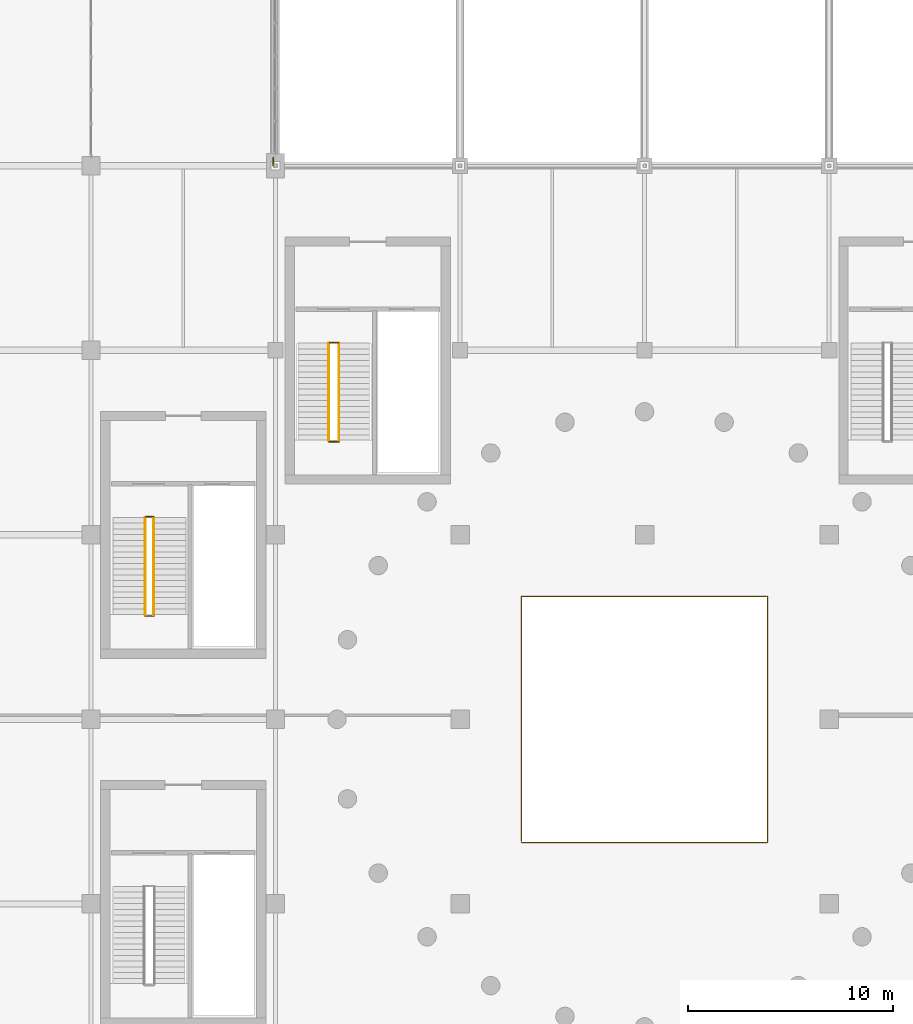
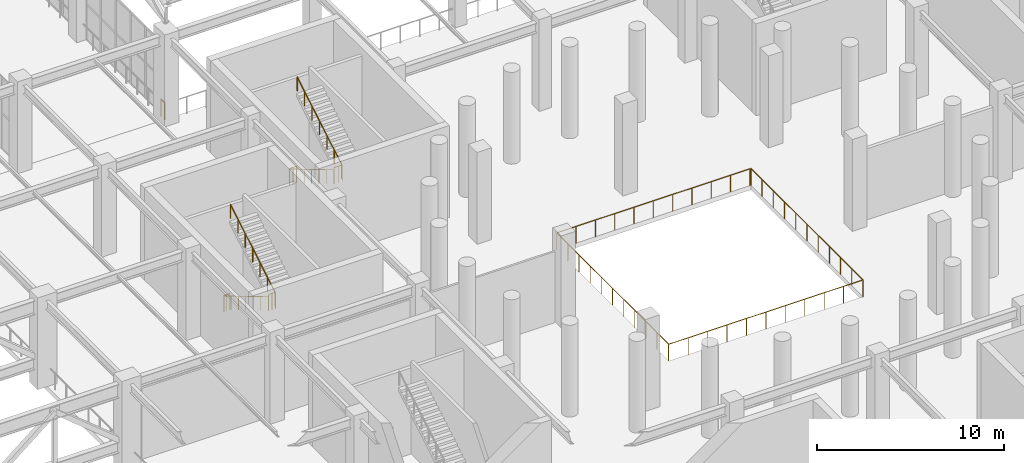
# One storey, part 210 of 223: 11 railings.
"""IFC4 building model written with IfcOpenShell, lengths in metres."""

from ifc_helpers import new_model, si_unit, direction, frame, origin, origin_2d, place, context, subcontext, project, spatial, circle, extrude, material, type_object, element, save


model = new_model("IFC4")

# Units and contexts
model_context = context("Model", 3, precision=1e-05, world=origin(), true_north=direction((0.0, 1.0)))
body_context = subcontext(model_context, "Body", "Model", "MODEL_VIEW")
ifc_project = project(units=[si_unit("LENGTHUNIT", "METRE"), si_unit("AREAUNIT", "SQUARE_METRE"), si_unit("VOLUMEUNIT", "CUBIC_METRE"), si_unit("PLANEANGLEUNIT", "RADIAN"), si_unit("MASSUNIT", "GRAM", prefix="KILO")], contexts=[model_context])

# Site, building, storey
site_placement = place(None, origin())
site = spatial("IfcSite", under=ifc_project, at=site_placement, CompositionType="ELEMENT")
building_placement = place(site_placement, origin())
building = spatial("IfcBuilding", under=site, at=building_placement, Name="Dornveld Trade and Exhibition Forum", CompositionType="ELEMENT")
storey_placement = place(building_placement, frame((0.0, 0.0, 6.0)))
storey = spatial("IfcBuildingStorey", under=building, at=storey_placement, Name="L01", CompositionType="ELEMENT", Elevation=6.0)

# Railings
ifc_material_1 = material(Name="Dark-bronze steel and laminated glass balustrade", Category="steel")
railing_type_1 = type_object("IfcRailingType", Name="RL-BALUST-CONC", PredefinedType="BALUSTRADE", material=ifc_material_1)
railing_1_placement = place(storey_placement, frame((111.0, 75.0, 0.0)))
element("IfcRailing", 1, at=railing_1_placement, inside=storey, type_object=railing_type_1, Name="L01 protective edge guard 14", PredefinedType="BALUSTRADE", context=body_context, shape_type="SweptSolid", body=[
    extrude(circle(Radius=0.02490234375, at=origin_2d()), frame((0.0, 0.0, 1.09521484375), z_axis=(1.0, 0.0, 0.0), x_axis=(0.0, 1.0, 0.0)), (0.0, 0.0, 1.0), 12.0),
    extrude(circle(Radius=0.02490234375, at=origin_2d()), frame((12.0, 0.0, 1.09521484375), z_axis=(0.0, 1.0, 0.0), x_axis=(-1.0, 0.0, 0.0)), (0.0, 0.0, 1.0), 12.0),
    extrude(circle(Radius=0.02099609375, at=origin_2d()), origin(), (0.0, 0.0, 1.0), 1.070068359375),
    extrude(circle(Radius=0.02099609375, at=origin_2d()), frame((1.199951171875, 0.0, 0.0)), (0.0, 0.0, 1.0), 1.070068359375),
    extrude(circle(Radius=0.02099609375, at=origin_2d()), frame((2.39990234375, 0.0, 0.0)), (0.0, 0.0, 1.0), 1.070068359375),
    extrude(circle(Radius=0.02099609375, at=origin_2d()), frame((3.60009765625, 0.0, 0.0)), (0.0, 0.0, 1.0), 1.070068359375),
    extrude(circle(Radius=0.02099609375, at=origin_2d()), frame((4.800048828125, 0.0, 0.0)), (0.0, 0.0, 1.0), 1.070068359375),
    extrude(circle(Radius=0.02099609375, at=origin_2d()), frame((6.0, 0.0, 0.0)), (0.0, 0.0, 1.0), 1.070068359375),
    extrude(circle(Radius=0.02099609375, at=origin_2d()), frame((7.199951171875, 0.0, 0.0)), (0.0, 0.0, 1.0), 1.070068359375),
    extrude(circle(Radius=0.02099609375, at=origin_2d()), frame((8.39990234375, 0.0, 0.0)), (0.0, 0.0, 1.0), 1.070068359375),
    extrude(circle(Radius=0.02099609375, at=origin_2d()), frame((9.60009765625, 0.0, 0.0)), (0.0, 0.0, 1.0), 1.070068359375),
    extrude(circle(Radius=0.02099609375, at=origin_2d()), frame((10.800048828125, 0.0, 0.0)), (0.0, 0.0, 1.0), 1.070068359375),
    extrude(circle(Radius=0.02099609375, at=origin_2d()), frame((12.0, 0.0, 0.0)), (0.0, 0.0, 1.0), 1.070068359375),
    extrude(circle(Radius=0.02099609375, at=origin_2d()), frame((12.0, 1.199951171875, 0.0)), (0.0, 0.0, 1.0), 1.070068359375),
    extrude(circle(Radius=0.02099609375, at=origin_2d()), frame((12.0, 2.39990234375, 0.0)), (0.0, 0.0, 1.0), 1.070068359375),
    extrude(circle(Radius=0.02099609375, at=origin_2d()), frame((12.0, 3.60009765625, 0.0)), (0.0, 0.0, 1.0), 1.070068359375),
    extrude(circle(Radius=0.02099609375, at=origin_2d()), frame((12.0, 4.800048828125, 0.0)), (0.0, 0.0, 1.0), 1.070068359375),
    extrude(circle(Radius=0.02099609375, at=origin_2d()), frame((12.0, 6.0, 0.0)), (0.0, 0.0, 1.0), 1.070068359375),
    extrude(circle(Radius=0.02099609375, at=origin_2d()), frame((12.0, 7.199951171875, 0.0)), (0.0, 0.0, 1.0), 1.070068359375),
    extrude(circle(Radius=0.02099609375, at=origin_2d()), frame((12.0, 8.39990234375, 0.0)), (0.0, 0.0, 1.0), 1.070068359375),
    extrude(circle(Radius=0.02099609375, at=origin_2d()), frame((12.0, 9.60009765625, 0.0)), (0.0, 0.0, 1.0), 1.070068359375),
    extrude(circle(Radius=0.02099609375, at=origin_2d()), frame((12.0, 10.800048828125, 0.0)), (0.0, 0.0, 1.0), 1.070068359375),
    extrude(circle(Radius=0.02099609375, at=origin_2d()), frame((12.0, 12.0, 0.0)), (0.0, 0.0, 1.0), 1.070068359375),
])
railing_2_placement = place(storey_placement, frame((122.93994140625, 87.0, 0.0)))
element("IfcRailing", 2, at=railing_2_placement, inside=storey, type_object=railing_type_1, Name="L01 protective edge guard 15", PredefinedType="BALUSTRADE", context=body_context, shape_type="SweptSolid", body=[
    extrude(circle(Radius=0.02490234375, at=origin_2d()), frame((0.0, 0.0, 1.09521484375), z_axis=(-1.0, 0.0, 0.0), x_axis=(0.0, -1.0, 0.0)), (0.0, 0.0, 1.0), 11.93994140625),
    extrude(circle(Radius=0.02490234375, at=origin_2d()), frame((-11.93994140625, 0.0, 1.09521484375), z_axis=(0.0, -1.0, 0.0), x_axis=(1.0, 0.0, 0.0)), (0.0, 0.0, 1.0), 11.93994140625),
    extrude(circle(Radius=0.02099609375, at=origin_2d()), origin(), (0.0, 0.0, 1.0), 1.070068359375),
    extrude(circle(Radius=0.02099609375, at=origin_2d()), frame((-1.194091796875, 0.0, 0.0)), (0.0, 0.0, 1.0), 1.070068359375),
    extrude(circle(Radius=0.02099609375, at=origin_2d()), frame((-2.387939453125, 0.0, 0.0)), (0.0, 0.0, 1.0), 1.070068359375),
    extrude(circle(Radius=0.02099609375, at=origin_2d()), frame((-3.58203125, 0.0, 0.0)), (0.0, 0.0, 1.0), 1.070068359375),
    extrude(circle(Radius=0.02099609375, at=origin_2d()), frame((-4.77587890625, 0.0, 0.0)), (0.0, 0.0, 1.0), 1.070068359375),
    extrude(circle(Radius=0.02099609375, at=origin_2d()), frame((-5.969970703125, 0.0, 0.0)), (0.0, 0.0, 1.0), 1.070068359375),
    extrude(circle(Radius=0.02099609375, at=origin_2d()), frame((-7.1640625, 0.0, 0.0)), (0.0, 0.0, 1.0), 1.070068359375),
    extrude(circle(Radius=0.02099609375, at=origin_2d()), frame((-8.35791015625, 0.0, 0.0)), (0.0, 0.0, 1.0), 1.070068359375),
    extrude(circle(Radius=0.02099609375, at=origin_2d()), frame((-9.552001953125, 0.0, 0.0)), (0.0, 0.0, 1.0), 1.070068359375),
    extrude(circle(Radius=0.02099609375, at=origin_2d()), frame((-10.745849609375, 0.0, 0.0)), (0.0, 0.0, 1.0), 1.070068359375),
    extrude(circle(Radius=0.02099609375, at=origin_2d()), frame((-11.93994140625, 0.0, 0.0)), (0.0, 0.0, 1.0), 1.070068359375),
    extrude(circle(Radius=0.02099609375, at=origin_2d()), frame((-11.93994140625, -1.194091796875, 0.0)), (0.0, 0.0, 1.0), 1.070068359375),
    extrude(circle(Radius=0.02099609375, at=origin_2d()), frame((-11.93994140625, -2.387939453125, 0.0)), (0.0, 0.0, 1.0), 1.070068359375),
    extrude(circle(Radius=0.02099609375, at=origin_2d()), frame((-11.93994140625, -3.58203125, 0.0)), (0.0, 0.0, 1.0), 1.070068359375),
    extrude(circle(Radius=0.02099609375, at=origin_2d()), frame((-11.93994140625, -4.77587890625, 0.0)), (0.0, 0.0, 1.0), 1.070068359375),
    extrude(circle(Radius=0.02099609375, at=origin_2d()), frame((-11.93994140625, -5.969970703125, 0.0)), (0.0, 0.0, 1.0), 1.070068359375),
    extrude(circle(Radius=0.02099609375, at=origin_2d()), frame((-11.93994140625, -7.1640625, 0.0)), (0.0, 0.0, 1.0), 1.070068359375),
    extrude(circle(Radius=0.02099609375, at=origin_2d()), frame((-11.93994140625, -8.35791015625, 0.0)), (0.0, 0.0, 1.0), 1.070068359375),
    extrude(circle(Radius=0.02099609375, at=origin_2d()), frame((-11.93994140625, -9.552001953125, 0.0)), (0.0, 0.0, 1.0), 1.070068359375),
    extrude(circle(Radius=0.02099609375, at=origin_2d()), frame((-11.93994140625, -10.745849609375, 0.0)), (0.0, 0.0, 1.0), 1.070068359375),
    extrude(circle(Radius=0.02099609375, at=origin_2d()), frame((-11.93994140625, -11.93994140625, 0.0)), (0.0, 0.0, 1.0), 1.070068359375),
])
railing_3_placement = place(storey_placement, frame((98.89990234375, 108.39990234375, 0.0)))
element("IfcRailing", 3, at=railing_3_placement, inside=storey, type_object=railing_type_1, Name="L01 deck edge balustrade 19", PredefinedType="BALUSTRADE", context=body_context, shape_type="SweptSolid", body=[
    extrude(circle(Radius=0.02490234375, at=origin_2d()), frame((0.0, 0.0, 1.09521484375), z_axis=(0.0, -1.0, 0.0), x_axis=(1.0, 0.0, 0.0)), (0.0, 0.0, 1.0), 0.39990234375),
    extrude(circle(Radius=0.02099609375, at=origin_2d()), origin(), (0.0, 0.0, 1.0), 1.070068359375),
    extrude(circle(Radius=0.02099609375, at=origin_2d()), frame((0.0, -0.39990234375, 0.0)), (0.0, 0.0, 1.0), 1.070068359375),
])
ifc_material_2 = material(Name="Brushed stainless steel handrail", Category="steel")
railing_type_2 = type_object("IfcRailingType", Name="RL-HAND-920", PredefinedType="HANDRAIL", material=ifc_material_2)
railing_4_placement = place(storey_placement, frame((101.60498046875, 99.35009765625, 0.166748046875)))
element("IfcRailing", 4, at=railing_4_placement, inside=storey, type_object=railing_type_2, Name="ST-03-L01 flight 1 handrail", PredefinedType="HANDRAIL", context=body_context, shape_type="SweptSolid", body=[
    extrude(circle(Radius=0.02099609375, at=origin_2d()), frame((0.0, 0.0, 0.89892578125), z_axis=(0.0, -0.859299802514, 0.511472237174), x_axis=(1.0, 0.0, 0.0)), (0.0, 0.0, 1.0), 5.539306640625),
    extrude(circle(Radius=0.01806640625, at=origin_2d()), origin(), (0.0, 0.0, 1.0), 0.8779296875),
    extrude(circle(Radius=0.01806640625, at=origin_2d()), frame((0.0, -0.79345703125, 0.47216796875)), (0.0, 0.0, 1.0), 0.8779296875),
    extrude(circle(Radius=0.01806640625, at=origin_2d()), frame((0.0, -1.586669921875, 0.9443359375)), (0.0, 0.0, 1.0), 0.8779296875),
    extrude(circle(Radius=0.01806640625, at=origin_2d()), frame((0.0, -2.3798828125, 1.41650390625)), (0.0, 0.0, 1.0), 0.8779296875),
    extrude(circle(Radius=0.01806640625, at=origin_2d()), frame((0.0, -3.17333984375, 1.888916015625)), (0.0, 0.0, 1.0), 0.8779296875),
    extrude(circle(Radius=0.01806640625, at=origin_2d()), frame((0.0, -3.966796875, 2.361083984375)), (0.0, 0.0, 1.0), 0.8779296875),
    extrude(circle(Radius=0.01806640625, at=origin_2d()), frame((0.0, -4.760009765625, 2.833251953125)), (0.0, 0.0, 1.0), 0.8779296875),
])
railing_5_placement = place(storey_placement, frame((102.094970703125, 94.590087890625, 3.166748046875)))
element("IfcRailing", 5, at=railing_5_placement, inside=storey, type_object=railing_type_2, Name="ST-03-L01 flight 2 handrail", PredefinedType="HANDRAIL", context=body_context, shape_type="SweptSolid", body=[
    extrude(circle(Radius=0.02099609375, at=origin_2d()), frame((0.0, 0.0, 0.89892578125), z_axis=(0.0, 0.859299802514, 0.511472237174), x_axis=(-1.0, 0.0, 0.0)), (0.0, 0.0, 1.0), 5.539306640625),
    extrude(circle(Radius=0.01806640625, at=origin_2d()), origin(), (0.0, 0.0, 1.0), 0.8779296875),
    extrude(circle(Radius=0.01806640625, at=origin_2d()), frame((0.0, 0.79345703125, 0.47216796875)), (0.0, 0.0, 1.0), 0.8779296875),
    extrude(circle(Radius=0.01806640625, at=origin_2d()), frame((0.0, 1.586669921875, 0.9443359375)), (0.0, 0.0, 1.0), 0.8779296875),
    extrude(circle(Radius=0.01806640625, at=origin_2d()), frame((0.0, 2.3798828125, 1.41650390625)), (0.0, 0.0, 1.0), 0.8779296875),
    extrude(circle(Radius=0.01806640625, at=origin_2d()), frame((0.0, 3.17333984375, 1.888916015625)), (0.0, 0.0, 1.0), 0.8779296875),
    extrude(circle(Radius=0.01806640625, at=origin_2d()), frame((0.0, 3.966796875, 2.361083984375)), (0.0, 0.0, 1.0), 0.8779296875),
    extrude(circle(Radius=0.01806640625, at=origin_2d()), frame((0.0, 4.760009765625, 2.833251953125)), (0.0, 0.0, 1.0), 0.8779296875),
])
railing_6_placement = place(storey_placement, frame((92.639892578125, 90.85009765625, 0.166748046875)))
element("IfcRailing", 6, at=railing_6_placement, inside=storey, type_object=railing_type_2, Name="ST-04-L01 flight 1 handrail", PredefinedType="HANDRAIL", context=body_context, shape_type="SweptSolid", body=[
    extrude(circle(Radius=0.02099609375, at=origin_2d()), frame((0.0, 0.0, 0.89892578125), z_axis=(0.0, -0.859299802514, 0.511472237174), x_axis=(1.0, 0.0, 0.0)), (0.0, 0.0, 1.0), 5.539306640625),
    extrude(circle(Radius=0.01806640625, at=origin_2d()), origin(), (0.0, 0.0, 1.0), 0.8779296875),
    extrude(circle(Radius=0.01806640625, at=origin_2d()), frame((0.0, -0.79345703125, 0.47216796875)), (0.0, 0.0, 1.0), 0.8779296875),
    extrude(circle(Radius=0.01806640625, at=origin_2d()), frame((0.0, -1.586669921875, 0.9443359375)), (0.0, 0.0, 1.0), 0.8779296875),
    extrude(circle(Radius=0.01806640625, at=origin_2d()), frame((0.0, -2.3798828125, 1.41650390625)), (0.0, 0.0, 1.0), 0.8779296875),
    extrude(circle(Radius=0.01806640625, at=origin_2d()), frame((0.0, -3.17333984375, 1.888916015625)), (0.0, 0.0, 1.0), 0.8779296875),
    extrude(circle(Radius=0.01806640625, at=origin_2d()), frame((0.0, -3.966796875, 2.361083984375)), (0.0, 0.0, 1.0), 0.8779296875),
    extrude(circle(Radius=0.01806640625, at=origin_2d()), frame((0.0, -4.760009765625, 2.833251953125)), (0.0, 0.0, 1.0), 0.8779296875),
])
railing_7_placement = place(storey_placement, frame((93.06005859375, 86.090087890625, 3.166748046875)))
element("IfcRailing", 7, at=railing_7_placement, inside=storey, type_object=railing_type_2, Name="ST-04-L01 flight 2 handrail", PredefinedType="HANDRAIL", context=body_context, shape_type="SweptSolid", body=[
    extrude(circle(Radius=0.02099609375, at=origin_2d()), frame((0.0, 0.0, 0.89892578125), z_axis=(0.0, 0.859299802514, 0.511472237174), x_axis=(-1.0, 0.0, 0.0)), (0.0, 0.0, 1.0), 5.539306640625),
    extrude(circle(Radius=0.01806640625, at=origin_2d()), origin(), (0.0, 0.0, 1.0), 0.8779296875),
    extrude(circle(Radius=0.01806640625, at=origin_2d()), frame((0.0, 0.79345703125, 0.47216796875)), (0.0, 0.0, 1.0), 0.8779296875),
    extrude(circle(Radius=0.01806640625, at=origin_2d()), frame((0.0, 1.586669921875, 0.9443359375)), (0.0, 0.0, 1.0), 0.8779296875),
    extrude(circle(Radius=0.01806640625, at=origin_2d()), frame((0.0, 2.3798828125, 1.41650390625)), (0.0, 0.0, 1.0), 0.8779296875),
    extrude(circle(Radius=0.01806640625, at=origin_2d()), frame((0.0, 3.17333984375, 1.888916015625)), (0.0, 0.0, 1.0), 0.8779296875),
    extrude(circle(Radius=0.01806640625, at=origin_2d()), frame((0.0, 3.966796875, 2.361083984375)), (0.0, 0.0, 1.0), 0.8779296875),
    extrude(circle(Radius=0.01806640625, at=origin_2d()), frame((0.0, 4.760009765625, 2.833251953125)), (0.0, 0.0, 1.0), 0.8779296875),
])
ifc_material_3 = material(Name="Painted steel S355J2 stair-well guard", Category="steel")
railing_type_3 = type_object("IfcRailingType", Name="RL-WELL-110", PredefinedType="GUARDRAIL", material=ifc_material_3)
railing_8_placement = place(storey_placement, frame((101.60498046875, 94.5400390625, 3.0)))
element("IfcRailing", 8, at=railing_8_placement, inside=storey, type_object=railing_type_3, Name="ST-03-L01 half-landing well guard", PredefinedType="GUARDRAIL", context=body_context, shape_type="SweptSolid", body=[
    extrude(circle(Radius=0.02392578125, at=origin_2d()), frame((0.0, 0.0, 1.076171875), z_axis=(1.0, 0.0, 0.0), x_axis=(0.0, 1.0, 0.0)), (0.0, 0.0, 1.0), 0.489990234375),
    extrude(circle(Radius=0.02001953125, at=origin_2d()), origin(), (0.0, 0.0, 1.0), 1.052001953125),
    extrude(circle(Radius=0.02001953125, at=origin_2d()), frame((0.2451171875, 0.0, 0.0)), (0.0, 0.0, 1.0), 1.052001953125),
    extrude(circle(Radius=0.02001953125, at=origin_2d()), frame((0.489990234375, 0.0, 0.0)), (0.0, 0.0, 1.0), 1.052001953125),
])
railing_9_placement = place(storey_placement, frame((101.635009765625, 99.3701171875, 0.0)))
element("IfcRailing", 9, at=railing_9_placement, inside=storey, type_object=railing_type_3, Name="CORE-03 L01 stair-slot floor guard", PredefinedType="GUARDRAIL", context=body_context, shape_type="SweptSolid", body=[
    extrude(circle(Radius=0.02392578125, at=origin_2d()), frame((0.0, 0.0, 1.076171875), z_axis=(1.0, 0.0, 0.0), x_axis=(0.0, 1.0, 0.0)), (0.0, 0.0, 1.0), 0.429931640625),
    extrude(circle(Radius=0.02001953125, at=origin_2d()), origin(), (0.0, 0.0, 1.0), 1.052001953125),
    extrude(circle(Radius=0.02001953125, at=origin_2d()), frame((0.21484375, 0.0, 0.0)), (0.0, 0.0, 1.0), 1.052001953125),
    extrude(circle(Radius=0.02001953125, at=origin_2d()), frame((0.429931640625, 0.0, 0.0)), (0.0, 0.0, 1.0), 1.052001953125),
])
railing_10_placement = place(storey_placement, frame((92.639892578125, 86.0400390625, 3.0)))
element("IfcRailing", 10, at=railing_10_placement, inside=storey, type_object=railing_type_3, Name="ST-04-L01 half-landing well guard", PredefinedType="GUARDRAIL", context=body_context, shape_type="SweptSolid", body=[
    extrude(circle(Radius=0.02392578125, at=origin_2d()), frame((0.0, 0.0, 1.076171875), z_axis=(1.0, 0.0, 0.0), x_axis=(0.0, 1.0, 0.0)), (0.0, 0.0, 1.0), 0.420166015625),
    extrude(circle(Radius=0.02001953125, at=origin_2d()), origin(), (0.0, 0.0, 1.0), 1.052001953125),
    extrude(circle(Radius=0.02001953125, at=origin_2d()), frame((0.2099609375, 0.0, 0.0)), (0.0, 0.0, 1.0), 1.052001953125),
    extrude(circle(Radius=0.02001953125, at=origin_2d()), frame((0.420166015625, 0.0, 0.0)), (0.0, 0.0, 1.0), 1.052001953125),
])
railing_11_placement = place(storey_placement, frame((92.669921875, 90.8701171875, 0.0)))
element("IfcRailing", 11, at=railing_11_placement, inside=storey, type_object=railing_type_3, Name="CORE-04 L01 stair-slot floor guard", PredefinedType="GUARDRAIL", context=body_context, shape_type="SweptSolid", body=[
    extrude(circle(Radius=0.02392578125, at=origin_2d()), frame((0.0, 0.0, 1.076171875), z_axis=(1.0, 0.0, 0.0), x_axis=(0.0, 1.0, 0.0)), (0.0, 0.0, 1.0), 0.360107421875),
    extrude(circle(Radius=0.02001953125, at=origin_2d()), origin(), (0.0, 0.0, 1.0), 1.052001953125),
    extrude(circle(Radius=0.02001953125, at=origin_2d()), frame((0.18017578125, 0.0, 0.0)), (0.0, 0.0, 1.0), 1.052001953125),
    extrude(circle(Radius=0.02001953125, at=origin_2d()), frame((0.360107421875, 0.0, 0.0)), (0.0, 0.0, 1.0), 1.052001953125),
])

save(model, "model.ifc")
